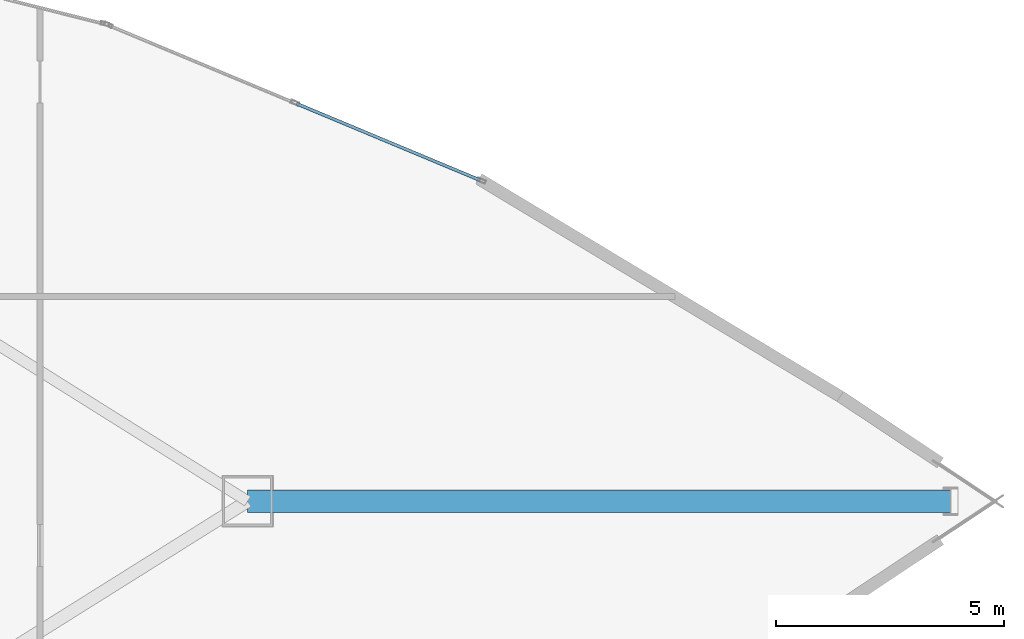
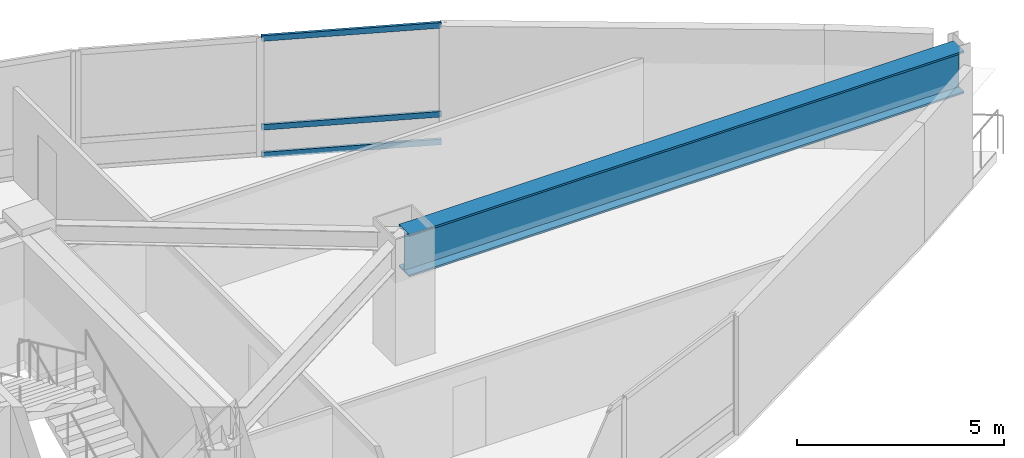
# One storey, part 11 of 17: 3 members, 1 beam, 1 element without a shape of its own.
"""IFC4 building model written with IfcOpenShell, lengths in metres."""

from ifc_helpers import new_model, si_unit, direction, frame, origin, origin_2d, place, context, subcontext, project, spatial, hollow_rectangle, i_section, extrude, material, layer, layer_set, material_profile, profile_set, type_object, element, aggregate, save


model = new_model("IFC4")

# Units and contexts
model_context = context("Model", 3, precision=1e-05, world=origin(), true_north=direction((0.0, 1.0)))
body_context = subcontext(model_context, "Body", "Model", "MODEL_VIEW")
ifc_project = project(units=[si_unit("LENGTHUNIT", "METRE"), si_unit("AREAUNIT", "SQUARE_METRE"), si_unit("VOLUMEUNIT", "CUBIC_METRE"), si_unit("PLANEANGLEUNIT", "RADIAN"), si_unit("MASSUNIT", "GRAM", prefix="KILO")], contexts=[model_context])

# Site, building, storey
site_placement = place(None, origin())
site = spatial("IfcSite", under=ifc_project, at=site_placement, CompositionType="ELEMENT")
building_placement = place(site_placement, origin())
building = spatial("IfcBuilding", under=site, at=building_placement, Name="Menara Vayukalpa", CompositionType="ELEMENT")
storey_placement = place(building_placement, frame((0.0, 0.0, 154.320068359375)))
storey = spatial("IfcBuildingStorey", under=building, at=storey_placement, Name="L38", CompositionType="ELEMENT", Elevation=154.320068359375)

# Beam
ifc_material_1 = material(Name="Steel S460", Category="steel")
ifc_material_profile_1 = material_profile(ifc_material_1, i_section(OverallWidth=0.5, OverallDepth=1.25, WebThickness=0.028076171875, FlangeThickness=0.054931640625, at=origin_2d()), Name="WG 1250x500x28x55")
ifc_profile_set_1 = profile_set([ifc_material_profile_1], Name="Steel S460")
beam_type = type_object("IfcBeamType", Name="BM-TG2", PredefinedType="BEAM", material=ifc_profile_set_1)
beam_placement = place(storey_placement, frame((41.05908203125, 22.0, 2.875), z_axis=(1.0, 0.0, 0.0), x_axis=(0.0, 1.0, 0.0)))
element("IfcBeam", 1, at=beam_placement, inside=storey, type_object=beam_type, Name="L38 SB3 Sky Bar Vierendeel Girder 01", PredefinedType="BEAM", context=body_context, shape_type="SweptSolid", body=[
    extrude(i_section(OverallWidth=0.5, OverallDepth=1.25, WebThickness=0.028076171875, FlangeThickness=0.054931640625, at=origin_2d()), origin(), (0.0, 0.0, 1.0), 15.44287109375),
])

# Curtain wall, members
ifc_material_2 = material(Name="Anodised Terracotta Aluminium Alloy 6063-T6", Category="masonry")
ifc_layer = layer(ifc_material_2, 0.179931640625)
ifc_layer_set = layer_set([ifc_layer], Name="Anodised Terracotta Aluminium Alloy 6063-T6")
curtain_wall_type = type_object("IfcCurtainWallType", Name="CW-CW4", PredefinedType="USERDEFINED", material=ifc_layer_set)
curtain_wall_placement = place(storey_placement, origin())
curtain_wall = element("IfcCurtainWall", 2, at=curtain_wall_placement, inside=storey, type_object=curtain_wall_type, Name="L38 Sky Bar Cantilever Glazed Curtain Wall CW4 04", ObjectType="UNITISED", PredefinedType="USERDEFINED")
ifc_material_3 = material(Name="Anodised Terracotta Aluminium Alloy 6063-T6", Category="masonry")
ifc_material_profile_2 = material_profile(ifc_material_3, hollow_rectangle(XDim=0.070068359375, YDim=0.1650390625, WallThickness=0.00390625, at=origin_2d()), Name="ALU 70x165x4")
ifc_profile_set_2 = profile_set([ifc_material_profile_2], Name="Anodised Terracotta Aluminium Alloy 6063-T6")
member_type = type_object("IfcMemberType", Name="CWT-CW4", PredefinedType="USERDEFINED", material=ifc_profile_set_2)
member_1_placement = place(storey_placement, frame((46.166015625, 29.05419921875, 0.034912109375), z_axis=(-0.9228767989, 0.385095331123, 0.0), x_axis=(-0.385095331123, -0.9228767989, 0.0)))
member_1 = element("IfcMember", 3, at=member_1_placement, type_object=member_type, Name="CW4 transom 1.1", ObjectType="TRANSOM", PredefinedType="USERDEFINED", context=body_context, shape_type="SweptSolid", body=[
    extrude(hollow_rectangle(XDim=0.070068359375, YDim=0.1650390625, WallThickness=0.00390625, at=origin_2d()), origin(), (0.0, 0.0, 1.0), 4.369873046875),
])
member_2_placement = place(storey_placement, frame((46.166015625, 29.05419921875, 0.849853515625), z_axis=(-0.9228767989, 0.385095331123, 0.0), x_axis=(-0.385095331123, -0.9228767989, 0.0)))
member_2 = element("IfcMember", 4, at=member_2_placement, type_object=member_type, Name="CW4 transom 1.2", ObjectType="TRANSOM", PredefinedType="USERDEFINED", context=body_context, shape_type="SweptSolid", body=[
    extrude(hollow_rectangle(XDim=0.070068359375, YDim=0.1650390625, WallThickness=0.00390625, at=origin_2d()), origin(), (0.0, 0.0, 1.0), 4.369873046875),
])
member_3_placement = place(storey_placement, frame((46.166015625, 29.05419921875, 3.46484375), z_axis=(-0.9228767989, 0.385095331123, 0.0), x_axis=(-0.385095331123, -0.9228767989, 0.0)))
member_3 = element("IfcMember", 5, at=member_3_placement, type_object=member_type, Name="CW4 transom 1.3", ObjectType="TRANSOM", PredefinedType="USERDEFINED", context=body_context, shape_type="SweptSolid", body=[
    extrude(hollow_rectangle(XDim=0.070068359375, YDim=0.1650390625, WallThickness=0.00390625, at=origin_2d()), origin(), (0.0, 0.0, 1.0), 4.369873046875),
])
aggregate(curtain_wall, [member_1, member_2, member_3])

save(model, "model.ifc")
